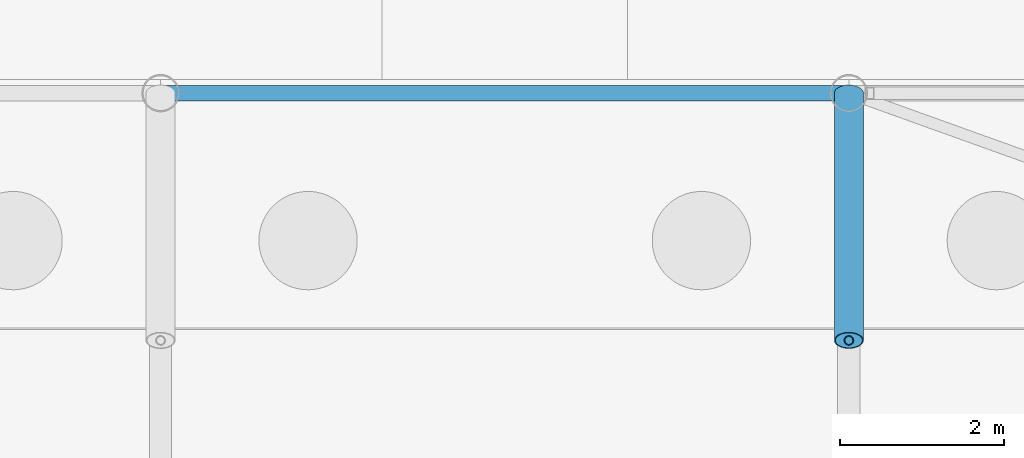
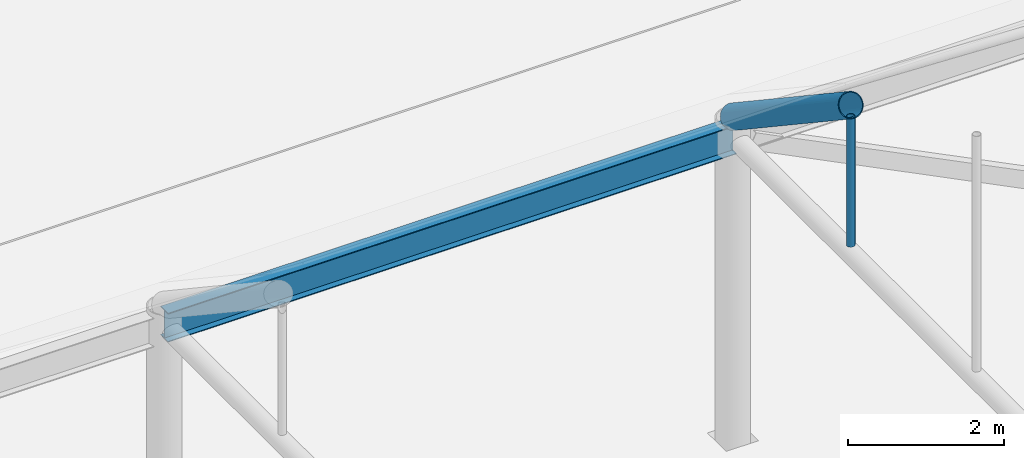
# One storey, part 77 of 212: 2 members, 1 beam.
"""IFC4 building model written with IfcOpenShell, lengths in metres."""

from ifc_helpers import new_model, si_unit, direction, frame, origin, origin_2d, place, context, subcontext, project, spatial, hollow_circle, i_section, extrude, material, material_profile, profile_set, type_object, element, save


model = new_model("IFC4")

# Units and contexts
model_context = context("Model", 3, precision=1e-05, world=origin(), true_north=direction((0.0, 1.0)))
body_context = subcontext(model_context, "Body", "Model", "MODEL_VIEW")
ifc_project = project(units=[si_unit("LENGTHUNIT", "METRE"), si_unit("AREAUNIT", "SQUARE_METRE"), si_unit("VOLUMEUNIT", "CUBIC_METRE"), si_unit("PLANEANGLEUNIT", "RADIAN"), si_unit("MASSUNIT", "GRAM", prefix="KILO")], contexts=[model_context])

# Site, building, storey
site_placement = place(None, origin())
site = spatial("IfcSite", under=ifc_project, at=site_placement, CompositionType="ELEMENT")
building_placement = place(site_placement, origin())
building = spatial("IfcBuilding", under=site, at=building_placement, Name="Catenary Quay Ferry Terminal", CompositionType="ELEMENT")
storey_placement = place(building_placement, origin())
storey = spatial("IfcBuildingStorey", under=building, at=storey_placement, Name="L00", CompositionType="ELEMENT", Elevation=0.0)

# Beam
ifc_material_1 = material(Name="Steel S355", Category="steel")
ifc_material_profile_1 = material_profile(ifc_material_1, i_section(OverallWidth=0.18994140625, OverallDepth=0.453369140625, WebThickness=0.008544921875, FlangeThickness=0.0126953125, at=origin_2d()), Name="UB 457x191x67")
ifc_profile_set_1 = profile_set([ifc_material_profile_1], Name="Steel S355")
beam_type = type_object("IfcBeamType", Name="B1 UB 457x191x67", PredefinedType="BEAM", material=ifc_profile_set_1)
beam_placement = place(storey_placement, frame((84.0, 50.39990234375, 4.699951171875), z_axis=(1.0, 0.0, 0.0), x_axis=(0.0, 1.0, 0.0)))
element("IfcBeam", 1, at=beam_placement, inside=storey, type_object=beam_type, Name="Eaves beam B-CA7-9", PredefinedType="BEAM", context=body_context, shape_type="SweptSolid", body=[
    extrude(i_section(OverallWidth=0.18994140625, OverallDepth=0.453369140625, WebThickness=0.008544921875, FlangeThickness=0.0126953125, at=origin_2d()), origin(), (0.0, 0.0, 1.0), 8.39990234375),
])

# Members
ifc_material_2 = material(Name="Steel S355", Category="steel")
ifc_material_profile_2 = material_profile(ifc_material_2, hollow_circle(Radius=0.05712890625, WallThickness=0.00634765625, at=origin_2d()), Name="CHS 114.3x6.3")
ifc_profile_set_2 = profile_set([ifc_material_profile_2], Name="Steel S355")
member_type_1 = type_object("IfcMemberType", Name="HG1 CHS 114.3x6.3", PredefinedType="POST", material=ifc_profile_set_2)
member_1_placement = place(storey_placement, frame((92.39990234375, 47.382080078125, 4.830078125), z_axis=(0.0, 0.0, 1.0), x_axis=(1.0, 0.0, 0.0)))
element("IfcMember", 2, at=member_1_placement, inside=storey, type_object=member_type_1, Name="Hanger CA-10-09", PredefinedType="POST", context=body_context, shape_type="SweptSolid", body=[
    extrude(hollow_circle(Radius=0.05712890625, WallThickness=0.00634765625, at=origin_2d()), origin(), (0.0, 0.0, 1.0), 2.010986328125),
])
ifc_material_3 = material(Name="Steel S355", Category="steel")
ifc_material_profile_3 = material_profile(ifc_material_3, hollow_circle(Radius=0.177734375, WallThickness=0.012451171875, at=origin_2d()), Name="CHS 355.6x12.5")
ifc_profile_set_3 = profile_set([ifc_material_profile_3], Name="Steel S355")
member_type_2 = type_object("IfcMemberType", Name="VR1 CHS 355.6x12.5", PredefinedType="RAFTER", material=ifc_profile_set_3)
member_2_placement = place(storey_placement, frame((92.39990234375, 47.382080078125, 7.012939453125), z_axis=(0.0, 0.831915666545, -0.554902084837), x_axis=(-1.0, 0.0, 0.0)))
element("IfcMember", 3, at=member_2_placement, inside=storey, type_object=member_type_2, Name="rib CA-10-10", PredefinedType="RAFTER", context=body_context, shape_type="SweptSolid", body=[
    extrude(hollow_circle(Radius=0.177734375, WallThickness=0.012451171875, at=origin_2d()), origin(), (0.0, 0.0, 1.0), 3.62744140625),
])

save(model, "model.ifc")
